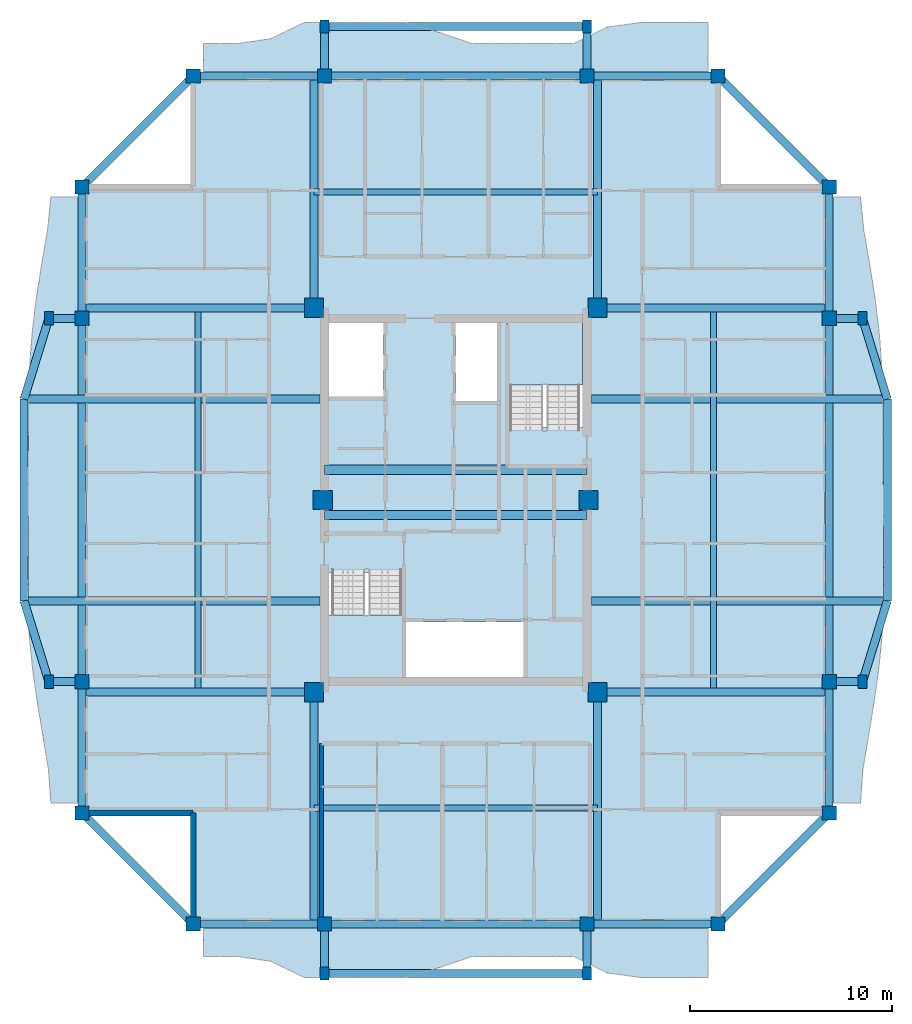
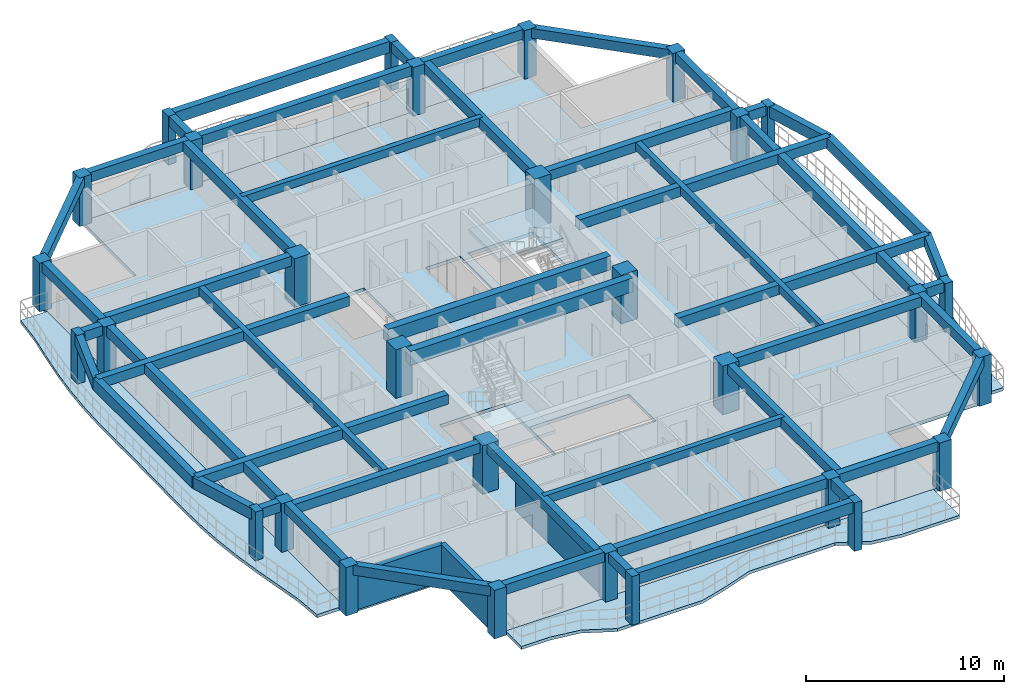
# One storey, part 1 of 14: 50 beams, 30 columns, 7 slabs, 3 walls, 2 elements without a shape of their own.
"""IFC4 building model written with IfcOpenShell, lengths in metres."""

from ifc_helpers import new_model, si_unit, direction, frame, frame_2d, origin, origin_2d, place, context, subcontext, project, spatial, polyline, rectangle, outline, extrude, source, transform, mapped, material, layer, layer_set, material_profile, profile_set, type_object, element, aggregate, save


model = new_model("IFC4")

# Units and contexts
model_context = context("Model", 3, precision=1e-05, world=origin(), true_north=direction((0.0, 1.0)))
body_context = subcontext(model_context, "Body", "Model", "MODEL_VIEW")
ifc_project = project(units=[si_unit("LENGTHUNIT", "METRE"), si_unit("AREAUNIT", "SQUARE_METRE"), si_unit("VOLUMEUNIT", "CUBIC_METRE"), si_unit("PLANEANGLEUNIT", "RADIAN"), si_unit("MASSUNIT", "GRAM", prefix="KILO")], contexts=[model_context])

# Site, building, storey
site_placement = place(None, origin())
site = spatial("IfcSite", under=ifc_project, at=site_placement, CompositionType="ELEMENT")
building_placement = place(site_placement, origin())
building = spatial("IfcBuilding", under=site, at=building_placement, Name="Saelheon Loggia Tower", CompositionType="ELEMENT")
storey_placement = place(building_placement, frame((0.0, 0.0, 213.300048828125)))
storey = spatial("IfcBuildingStorey", under=building, at=storey_placement, Name="L66", CompositionType="ELEMENT", Elevation=213.300048828125)

# Columns
ifc_material_1 = material(Name="Concrete C45/55", Category="concrete")
ifc_material_profile_1 = material_profile(ifc_material_1, rectangle(XDim=0.949951171875, YDim=0.949951171875, at=origin_2d()), Name="RC-950x950")
ifc_profile_set_1 = profile_set([ifc_material_profile_1], Name="Concrete C45/55")
column_type_1 = type_object("IfcColumnType", Name="Col_Core_RC950", PredefinedType="COLUMN", material=ifc_profile_set_1)
shared_shape_1 = source(origin(), body_context, "Body", "SweptSolid", [
    extrude(rectangle(XDim=0.949951171875, YDim=0.949951171875, at=origin_2d()), origin(), (0.0, 0.0, 1.0), 3.0),
])
for number, where, z_axis, x_axis, name in (
    (1, (30.97998046875, 17.47998046875, 0.0), (0.0, 0.0, 1.0), (1.0, 0.0, 0.0), "L66 Core Column CR-SW"),
    (2, (45.02001953125, 17.47998046875, 0.0), (0.0, 0.0, 1.0), (1.0, 0.0, 0.0), "L66 Core Column CR-SE"),
    (3, (30.97998046875, 36.52001953125, 0.0), (0.0, 0.0, 1.0), (1.0, 0.0, 0.0), "L66 Core Column CR-NW"),
    (4, (45.02001953125, 36.52001953125, 0.0), (0.0, 0.0, 1.0), (1.0, 0.0, 0.0), "L66 Core Column CR-NE"),
    (5, (31.419921875, 27.0, 0.0), (0.0, 0.0, 1.0), (1.0, 0.0, 0.0), "L66 Core Column CR-MW"),
    (6, (44.580078125, 27.0, 0.0), (0.0, 0.0, 1.0), (1.0, 0.0, 0.0), "L66 Core Column CR-ME"),
):
    element("IfcColumn", number, at=place(storey_placement, frame(where, z_axis=z_axis, x_axis=x_axis)), inside=storey, type_object=column_type_1, Name=name, PredefinedType="COLUMN", context=body_context, shape_type="MappedRepresentation", body=[
        mapped(shared_shape_1, transform((0.0, 0.0, 0.0), scale=1.0)),
    ])
ifc_material_2 = material(Name="Precast Concrete C45/55", Category="concrete")
ifc_material_profile_2 = material_profile(ifc_material_2, rectangle(XDim=0.449951171875, YDim=0.64990234375, at=origin_2d()), Name="RC-450x650")
ifc_profile_set_2 = profile_set([ifc_material_profile_2], Name="Precast Concrete C45/55")
column_type_2 = type_object("IfcColumnType", Name="Col_Loggia_Pilaster_650", PredefinedType="PILASTER", material=ifc_profile_set_2)
shared_shape_2 = source(origin(), body_context, "Body", "SweptSolid", [
    extrude(rectangle(XDim=0.449951171875, YDim=0.64990234375, at=origin_2d()), origin(), (0.0, 0.0, 1.0), 3.0),
])
for number, where, z_axis, x_axis, name in (
    (7, (31.5, 3.550048828125, 0.0), (0.0, 0.0, 1.0), (1.0, 0.0, 0.0), "L66 Loggia Frame Pilaster LP-S1"),
    (8, (44.5, 3.550048828125, 0.0), (0.0, 0.0, 1.0), (1.0, 0.0, 0.0), "L66 Loggia Frame Pilaster LP-S2"),
    (9, (31.5, 50.449951171875, 0.0), (0.0, 0.0, 1.0), (1.0, 0.0, 0.0), "L66 Loggia Frame Pilaster LP-N1"),
    (10, (44.5, 50.449951171875, 0.0), (0.0, 0.0, 1.0), (1.0, 0.0, 0.0), "L66 Loggia Frame Pilaster LP-N2"),
    (11, (58.14990234375, 18.0, 0.0), (0.0, 0.0, 1.0), (1.0, 0.0, 0.0), "L66 Loggia Frame Pilaster LP-E1"),
    (12, (58.14990234375, 36.0, 0.0), (0.0, 0.0, 1.0), (1.0, 0.0, 0.0), "L66 Loggia Frame Pilaster LP-E2"),
    (13, (17.85009765625, 18.0, 0.0), (0.0, 0.0, 1.0), (1.0, 0.0, 0.0), "L66 Loggia Frame Pilaster LP-W1"),
    (14, (17.85009765625, 36.0, 0.0), (0.0, 0.0, 1.0), (1.0, 0.0, 0.0), "L66 Loggia Frame Pilaster LP-W2"),
):
    element("IfcColumn", number, at=place(storey_placement, frame(where, z_axis=z_axis, x_axis=x_axis)), inside=storey, type_object=column_type_2, Name=name, PredefinedType="PILASTER", context=body_context, shape_type="MappedRepresentation", body=[
        mapped(shared_shape_2, transform((0.0, 0.0, 0.0), scale=1.0)),
    ])
ifc_material_profile_3 = material_profile(ifc_material_1, rectangle(XDim=0.699951171875, YDim=0.699951171875, at=origin_2d()), Name="RC-700x700")
ifc_profile_set_3 = profile_set([ifc_material_profile_3], Name="Concrete C45/55")
column_type_3 = type_object("IfcColumnType", Name="Col_Perim_RC700", PredefinedType="COLUMN", material=ifc_profile_set_3)
shared_shape_3 = source(origin(), body_context, "Body", "SweptSolid", [
    extrude(rectangle(XDim=0.699951171875, YDim=0.699951171875, at=origin_2d()), origin(), (0.0, 0.0, 1.0), 3.0),
])
for number, where, z_axis, x_axis, name in (
    (15, (25.0, 6.0, 0.0), (0.0, 0.0, 1.0), (1.0, 0.0, 0.0), "L66 Perimeter Column TP-S1"),
    (16, (31.5, 6.0, 0.0), (0.0, 0.0, 1.0), (1.0, 0.0, 0.0), "L66 Perimeter Column TP-SA"),
    (17, (44.5, 6.0, 0.0), (0.0, 0.0, 1.0), (1.0, 0.0, 0.0), "L66 Perimeter Column TP-SB"),
    (18, (51.0, 6.0, 0.0), (0.0, 0.0, 1.0), (1.0, 0.0, 0.0), "L66 Perimeter Column TP-S2"),
    (19, (56.5, 11.5, 0.0), (0.0, 0.0, 1.0), (1.0, 0.0, 0.0), "L66 Perimeter Column TP-E1"),
    (20, (56.5, 18.0, 0.0), (0.0, 0.0, 1.0), (1.0, 0.0, 0.0), "L66 Perimeter Column TP-EA"),
    (21, (56.5, 36.0, 0.0), (0.0, 0.0, 1.0), (1.0, 0.0, 0.0), "L66 Perimeter Column TP-EB"),
    (22, (56.5, 42.5, 0.0), (0.0, 0.0, 1.0), (1.0, 0.0, 0.0), "L66 Perimeter Column TP-E2"),
    (23, (51.0, 48.0, 0.0), (0.0, 0.0, 1.0), (1.0, 0.0, 0.0), "L66 Perimeter Column TP-N2"),
    (24, (44.5, 48.0, 0.0), (0.0, 0.0, 1.0), (1.0, 0.0, 0.0), "L66 Perimeter Column TP-NB"),
    (25, (31.5, 48.0, 0.0), (0.0, 0.0, 1.0), (1.0, 0.0, 0.0), "L66 Perimeter Column TP-NA"),
    (26, (25.0, 48.0, 0.0), (0.0, 0.0, 1.0), (1.0, 0.0, 0.0), "L66 Perimeter Column TP-N1"),
    (27, (19.5, 42.5, 0.0), (0.0, 0.0, 1.0), (1.0, 0.0, 0.0), "L66 Perimeter Column TP-W2"),
    (28, (19.5, 36.0, 0.0), (0.0, 0.0, 1.0), (1.0, 0.0, 0.0), "L66 Perimeter Column TP-WB"),
    (29, (19.5, 18.0, 0.0), (0.0, 0.0, 1.0), (1.0, 0.0, 0.0), "L66 Perimeter Column TP-WA"),
    (30, (19.5, 11.5, 0.0), (0.0, 0.0, 1.0), (1.0, 0.0, 0.0), "L66 Perimeter Column TP-W1"),
):
    element("IfcColumn", number, at=place(storey_placement, frame(where, z_axis=z_axis, x_axis=x_axis)), inside=storey, type_object=column_type_3, Name=name, PredefinedType="COLUMN", context=body_context, shape_type="MappedRepresentation", body=[
        mapped(shared_shape_3, transform((0.0, 0.0, 0.0), scale=1.0)),
    ])

# Beams
ifc_material_3 = material(Name="Concrete C50/60", Category="concrete")
ifc_material_profile_4 = material_profile(ifc_material_3, rectangle(XDim=0.449951171875, YDim=0.85009765625, at=origin_2d()), Name="RC-450x850")
ifc_profile_set_4 = profile_set([ifc_material_profile_4], Name="Concrete C50/60")
beam_type_1 = type_object("IfcBeamType", Name="Beam_CoreLintel_RC450x850", PredefinedType="LINTEL", material=ifc_profile_set_4)
shared_shape_4 = source(origin(), body_context, "Body", "SweptSolid", [
    extrude(rectangle(XDim=0.449951171875, YDim=0.85009765625, at=origin_2d()), origin(), (0.0, 0.0, 1.0), 13.0),
])
for number, where, z_axis, x_axis, name in (
    (31, (31.5, 26.25, 2.574951171875), (1.0, 0.0, 0.0), (0.0, 1.0, 0.0), "L66 Core Coupling Lintel 1"),
    (32, (31.5, 28.5, 2.574951171875), (1.0, 0.0, 0.0), (0.0, 1.0, 0.0), "L66 Core Coupling Lintel 2"),
):
    element("IfcBeam", number, at=place(storey_placement, frame(where, z_axis=z_axis, x_axis=x_axis)), inside=storey, type_object=beam_type_1, Name=name, PredefinedType="LINTEL", context=body_context, shape_type="MappedRepresentation", body=[
        mapped(shared_shape_4, transform((0.0, 0.0, 0.0), scale=1.0)),
    ])
ifc_material_profile_5 = material_profile(ifc_material_2, rectangle(XDim=0.39990234375, YDim=0.60009765625, at=origin_2d()), Name="RC-400x600")
ifc_profile_set_5 = profile_set([ifc_material_profile_5], Name="Precast Concrete C45/55")
beam_type_2 = type_object("IfcBeamType", Name="Beam_LoggiaTie_RC400x600", PredefinedType="BEAM", material=ifc_profile_set_5)
shared_shape_5 = source(origin(), body_context, "Body", "SweptSolid", [
    extrude(rectangle(XDim=0.39990234375, YDim=0.60009765625, at=origin_2d()), origin(), (0.0, 0.0, 1.0), 2.449951171875),
])
for number, where, z_axis, x_axis, name in (
    (33, (31.5, 6.0, 2.699951171875), (0.0, -1.0, 0.0), (1.0, 0.0, 0.0), "L66 Loggia Frame Tie Beam LP-S1"),
    (34, (44.5, 6.0, 2.699951171875), (0.0, -1.0, 0.0), (1.0, 0.0, 0.0), "L66 Loggia Frame Tie Beam LP-S2"),
    (35, (31.5, 48.0, 2.699951171875), (0.0, 1.0, 0.0), (-1.0, 0.0, 0.0), "L66 Loggia Frame Tie Beam LP-N1"),
    (36, (44.5, 48.0, 2.699951171875), (0.0, 1.0, 0.0), (-1.0, 0.0, 0.0), "L66 Loggia Frame Tie Beam LP-N2"),
):
    element("IfcBeam", number, at=place(storey_placement, frame(where, z_axis=z_axis, x_axis=x_axis)), inside=storey, type_object=beam_type_2, Name=name, PredefinedType="BEAM", context=body_context, shape_type="MappedRepresentation", body=[
        mapped(shared_shape_5, transform((0.0, 0.0, 0.0), scale=1.0)),
    ])
ifc_material_4 = material(Name="Concrete C40/50", Category="concrete")
ifc_material_profile_6 = material_profile(ifc_material_4, rectangle(XDim=0.300048828125, YDim=0.5, at=origin_2d()), Name="RC-300x500")
ifc_profile_set_6 = profile_set([ifc_material_profile_6], Name="Concrete C40/50")
beam_type_3 = type_object("IfcBeamType", Name="Beam_Joist_RC300x500", PredefinedType="JOIST", material=ifc_profile_set_6)
shared_shape_6 = source(origin(), body_context, "Body", "SweptSolid", [
    extrude(rectangle(XDim=0.300048828125, YDim=0.5, at=origin_2d()), origin(), (0.0, 0.0, 1.0), 14.0400390625),
])
for number, where, z_axis, x_axis, name in (
    (37, (30.97998046875, 11.739990234375, 2.75), (1.0, 0.0, 0.0), (0.0, 1.0, 0.0), "L66 South Floor Joist"),
    (38, (30.97998046875, 42.260009765625, 2.75), (1.0, 0.0, 0.0), (0.0, 1.0, 0.0), "L66 North Floor Joist"),
):
    element("IfcBeam", number, at=place(storey_placement, frame(where, z_axis=z_axis, x_axis=x_axis)), inside=storey, type_object=beam_type_3, Name=name, PredefinedType="JOIST", context=body_context, shape_type="MappedRepresentation", body=[
        mapped(shared_shape_6, transform((0.0, 0.0, 0.0), scale=1.0)),
    ])
shared_shape_7 = source(origin(), body_context, "Body", "SweptSolid", [
    extrude(rectangle(XDim=0.300048828125, YDim=0.5, at=origin_2d()), origin(), (0.0, 0.0, 1.0), 19.0400390625),
])
for number, where, z_axis, x_axis, name in (
    (39, (25.239990234375, 17.47998046875, 2.75), (0.0, 1.0, 0.0), (-1.0, 0.0, 0.0), "L66 West Floor Joist"),
    (40, (50.760009765625, 17.47998046875, 2.75), (0.0, 1.0, 0.0), (-1.0, 0.0, 0.0), "L66 East Floor Joist"),
):
    element("IfcBeam", number, at=place(storey_placement, frame(where, z_axis=z_axis, x_axis=x_axis)), inside=storey, type_object=beam_type_3, Name=name, PredefinedType="JOIST", context=body_context, shape_type="MappedRepresentation", body=[
        mapped(shared_shape_7, transform((0.0, 0.0, 0.0), scale=1.0)),
    ])
shared_shape_8 = source(origin(), body_context, "Body", "SweptSolid", [
    extrude(rectangle(XDim=0.39990234375, YDim=0.60009765625, at=origin_2d()), origin(), (0.0, 0.0, 1.0), 1.64990234375),
])
for number, where, z_axis, x_axis, name in (
    (41, (56.5, 18.0, 2.699951171875), (1.0, 0.0, 0.0), (0.0, 1.0, 0.0), "L66 Loggia Frame Tie Beam LP-E1"),
    (42, (56.5, 36.0, 2.699951171875), (1.0, 0.0, 0.0), (0.0, 1.0, 0.0), "L66 Loggia Frame Tie Beam LP-E2"),
    (43, (19.5, 18.0, 2.699951171875), (-1.0, 0.0, 0.0), (0.0, -1.0, 0.0), "L66 Loggia Frame Tie Beam LP-W1"),
    (44, (19.5, 36.0, 2.699951171875), (-1.0, 0.0, 0.0), (0.0, -1.0, 0.0), "L66 Loggia Frame Tie Beam LP-W2"),
):
    element("IfcBeam", number, at=place(storey_placement, frame(where, z_axis=z_axis, x_axis=x_axis)), inside=storey, type_object=beam_type_2, Name=name, PredefinedType="BEAM", context=body_context, shape_type="MappedRepresentation", body=[
        mapped(shared_shape_8, transform((0.0, 0.0, 0.0), scale=1.0)),
    ])
ifc_material_profile_7 = material_profile(ifc_material_2, rectangle(XDim=0.39990234375, YDim=0.699951171875, at=origin_2d()), Name="RC-400x700")
ifc_profile_set_7 = profile_set([ifc_material_profile_7], Name="Precast Concrete C45/55")
beam_type_4 = type_object("IfcBeamType", Name="Beam_LoggiaSpandrel_RC400x700", PredefinedType="SPANDREL", material=ifc_profile_set_7)
shared_shape_9 = source(origin(), body_context, "Body", "SweptSolid", [
    extrude(rectangle(XDim=0.39990234375, YDim=0.699951171875, at=origin_2d()), origin(), (0.0, 0.0, 1.0), 13.0),
])
for number, where, z_axis, x_axis, name in (
    (45, (31.5, 3.550048828125, 2.64990234375), (1.0, 0.0, 0.0), (0.0, 1.0, 0.0), "L66 Loggia Spandrel Beam S"),
    (46, (31.5, 50.449951171875, 2.64990234375), (1.0, 0.0, 0.0), (0.0, 1.0, 0.0), "L66 Loggia Spandrel Beam N"),
):
    element("IfcBeam", number, at=place(storey_placement, frame(where, z_axis=z_axis, x_axis=x_axis)), inside=storey, type_object=beam_type_4, Name=name, PredefinedType="SPANDREL", context=body_context, shape_type="MappedRepresentation", body=[
        mapped(shared_shape_9, transform((0.0, 0.0, 0.0), scale=1.0)),
    ])
shared_shape_10 = source(origin(), body_context, "Body", "SweptSolid", [
    extrude(rectangle(XDim=0.39990234375, YDim=0.699951171875, at=origin_2d()), origin(), (0.0, 0.0, 1.0), 4.184814453125),
])
for number, where, z_axis, x_axis, name in (
    (47, (58.14990234375, 18.0, 2.64990234375), (0.293913664135, 0.955831971653, 0.0), (-0.955831971653, 0.293913664135, 0.0), "L66 Curved Loggia Spandrel E 1"),
    (48, (59.3798828125, 32.0, 2.64990234375), (-0.293913664135, 0.955831971653, 0.0), (-0.955831971653, -0.293913664135, 0.0), "L66 Curved Loggia Spandrel E 3"),
    (49, (17.85009765625, 18.0, 2.64990234375), (-0.293913664135, 0.955831971653, 0.0), (-0.955831971653, -0.293913664135, 0.0), "L66 Curved Loggia Spandrel W 1"),
    (50, (16.6201171875, 32.0, 2.64990234375), (0.293913664135, 0.955831971653, 0.0), (-0.955831971653, 0.293913664135, 0.0), "L66 Curved Loggia Spandrel W 3"),
):
    element("IfcBeam", number, at=place(storey_placement, frame(where, z_axis=z_axis, x_axis=x_axis)), inside=storey, type_object=beam_type_4, Name=name, PredefinedType="SPANDREL", context=body_context, shape_type="MappedRepresentation", body=[
        mapped(shared_shape_10, transform((0.0, 0.0, 0.0), scale=1.0)),
    ])
shared_shape_11 = source(origin(), body_context, "Body", "SweptSolid", [
    extrude(rectangle(XDim=0.39990234375, YDim=0.699951171875, at=origin_2d()), origin(), (0.0, 0.0, 1.0), 10.0),
])
for number, where, z_axis, x_axis, name in (
    (51, (59.3798828125, 22.0, 2.64990234375), (0.0, 1.0, 0.0), (-1.0, 0.0, 0.0), "L66 Curved Loggia Spandrel E 2"),
    (52, (16.6201171875, 22.0, 2.64990234375), (0.0, 1.0, 0.0), (-1.0, 0.0, 0.0), "L66 Curved Loggia Spandrel W 2"),
):
    element("IfcBeam", number, at=place(storey_placement, frame(where, z_axis=z_axis, x_axis=x_axis)), inside=storey, type_object=beam_type_4, Name=name, PredefinedType="SPANDREL", context=body_context, shape_type="MappedRepresentation", body=[
        mapped(shared_shape_11, transform((0.0, 0.0, 0.0), scale=1.0)),
    ])
ifc_material_profile_8 = material_profile(ifc_material_4, rectangle(XDim=0.39990234375, YDim=0.60009765625, at=origin_2d()), Name="RC-400x600")
ifc_profile_set_8 = profile_set([ifc_material_profile_8], Name="Concrete C40/50")
beam_type_5 = type_object("IfcBeamType", Name="Beam_PerimUpper_RC400x600", PredefinedType="BEAM", material=ifc_profile_set_8)
shared_shape_12 = source(origin(), body_context, "Body", "SweptSolid", [
    extrude(rectangle(XDim=0.39990234375, YDim=0.60009765625, at=origin_2d()), origin(), (0.0, 0.0, 1.0), 13.0),
])
for number, where, z_axis, x_axis, name in (
    (53, (31.5, 6.0, 2.699951171875), (1.0, 0.0, 0.0), (0.0, 1.0, 0.0), "L66 Perimeter Frame Girder 02"),
    (54, (44.5, 48.0, 2.699951171875), (-1.0, 0.0, 0.0), (0.0, -1.0, 0.0), "L66 Perimeter Frame Girder 10"),
):
    element("IfcBeam", number, at=place(storey_placement, frame(where, z_axis=z_axis, x_axis=x_axis)), inside=storey, type_object=beam_type_5, Name=name, PredefinedType="BEAM", context=body_context, shape_type="MappedRepresentation", body=[
        mapped(shared_shape_12, transform((0.0, 0.0, 0.0), scale=1.0)),
    ])
shared_shape_13 = source(origin(), body_context, "Body", "SweptSolid", [
    extrude(rectangle(XDim=0.39990234375, YDim=0.60009765625, at=origin_2d()), origin(), (0.0, 0.0, 1.0), 18.0),
])
for number, where, z_axis, x_axis, name in (
    (55, (56.5, 18.0, 2.699951171875), (0.0, 1.0, 0.0), (-1.0, 0.0, 0.0), "L66 Perimeter Frame Girder 06"),
    (56, (19.5, 36.0, 2.699951171875), (0.0, -1.0, 0.0), (1.0, 0.0, 0.0), "L66 Perimeter Frame Girder 14"),
):
    element("IfcBeam", number, at=place(storey_placement, frame(where, z_axis=z_axis, x_axis=x_axis)), inside=storey, type_object=beam_type_5, Name=name, PredefinedType="BEAM", context=body_context, shape_type="MappedRepresentation", body=[
        mapped(shared_shape_13, transform((0.0, 0.0, 0.0), scale=1.0)),
    ])
ifc_material_profile_9 = material_profile(ifc_material_4, rectangle(XDim=0.39990234375, YDim=0.60009765625, at=origin_2d()), Name="RC-400x600")
ifc_profile_set_9 = profile_set([ifc_material_profile_9], Name="Concrete C40/50")
beam_type_6 = type_object("IfcBeamType", Name="Beam_UpperGirder_RC400x600", PredefinedType="BEAM", material=ifc_profile_set_9)
shared_shape_14 = source(origin(), body_context, "Body", "SweptSolid", [
    extrude(rectangle(XDim=0.39990234375, YDim=0.60009765625, at=origin_2d()), origin(), (0.0, 0.0, 1.0), 11.47998046875),
])
for number, where, z_axis, x_axis, name in (
    (57, (30.97998046875, 17.47998046875, 2.699951171875), (0.0, -1.0, 0.0), (1.0, 0.0, 0.0), "L66 Radial Floor Girder RAD-SW-S"),
    (58, (45.02001953125, 17.47998046875, 2.699951171875), (0.0, -1.0, 0.0), (1.0, 0.0, 0.0), "L66 Radial Floor Girder RAD-SE-S"),
    (59, (30.97998046875, 36.52001953125, 2.699951171875), (0.0, 1.0, 0.0), (-1.0, 0.0, 0.0), "L66 Radial Floor Girder RAD-NW-N"),
    (60, (45.02001953125, 36.52001953125, 2.699951171875), (0.0, 1.0, 0.0), (-1.0, 0.0, 0.0), "L66 Radial Floor Girder RAD-NE-N"),
    (61, (30.97998046875, 17.47998046875, 2.699951171875), (-1.0, 0.0, 0.0), (0.0, -1.0, 0.0), "L66 Radial Floor Girder RAD-SW-W"),
    (62, (30.97998046875, 36.52001953125, 2.699951171875), (-1.0, 0.0, 0.0), (0.0, -1.0, 0.0), "L66 Radial Floor Girder RAD-NW-W"),
    (63, (45.02001953125, 17.47998046875, 2.699951171875), (1.0, 0.0, 0.0), (0.0, 1.0, 0.0), "L66 Radial Floor Girder RAD-SE-E"),
    (64, (45.02001953125, 36.52001953125, 2.699951171875), (1.0, 0.0, 0.0), (0.0, 1.0, 0.0), "L66 Radial Floor Girder RAD-NE-E"),
):
    element("IfcBeam", number, at=place(storey_placement, frame(where, z_axis=z_axis, x_axis=x_axis)), inside=storey, type_object=beam_type_6, Name=name, PredefinedType="BEAM", context=body_context, shape_type="MappedRepresentation", body=[
        mapped(shared_shape_14, transform((0.0, 0.0, 0.0), scale=1.0)),
    ])
shared_shape_15 = source(origin(), body_context, "Body", "SweptSolid", [
    extrude(rectangle(XDim=0.39990234375, YDim=0.60009765625, at=origin_2d()), origin(), (0.0, 0.0, 1.0), 6.5),
])
for number, where, z_axis, x_axis, name in (
    (65, (25.0, 6.0, 2.699951171875), (1.0, 0.0, 0.0), (0.0, 1.0, 0.0), "L66 Perimeter Frame Girder 01"),
    (66, (44.5, 6.0, 2.699951171875), (1.0, 0.0, 0.0), (0.0, 1.0, 0.0), "L66 Perimeter Frame Girder 03"),
    (67, (56.5, 11.5, 2.699951171875), (0.0, 1.0, 0.0), (-1.0, 0.0, 0.0), "L66 Perimeter Frame Girder 05"),
    (68, (56.5, 36.0, 2.699951171875), (0.0, 1.0, 0.0), (-1.0, 0.0, 0.0), "L66 Perimeter Frame Girder 07"),
    (69, (51.0, 48.0, 2.699951171875), (-1.0, 0.0, 0.0), (0.0, -1.0, 0.0), "L66 Perimeter Frame Girder 09"),
    (70, (31.5, 48.0, 2.699951171875), (-1.0, 0.0, 0.0), (0.0, -1.0, 0.0), "L66 Perimeter Frame Girder 11"),
    (71, (19.5, 42.5, 2.699951171875), (0.0, -1.0, 0.0), (1.0, 0.0, 0.0), "L66 Perimeter Frame Girder 13"),
    (72, (19.5, 18.0, 2.699951171875), (0.0, -1.0, 0.0), (1.0, 0.0, 0.0), "L66 Perimeter Frame Girder 15"),
):
    element("IfcBeam", number, at=place(storey_placement, frame(where, z_axis=z_axis, x_axis=x_axis)), inside=storey, type_object=beam_type_5, Name=name, PredefinedType="BEAM", context=body_context, shape_type="MappedRepresentation", body=[
        mapped(shared_shape_15, transform((0.0, 0.0, 0.0), scale=1.0)),
    ])
shared_shape_16 = source(origin(), body_context, "Body", "SweptSolid", [
    extrude(rectangle(XDim=0.39990234375, YDim=0.60009765625, at=origin_2d()), origin(), (0.0, 0.0, 1.0), 7.778076171875),
])
for number, where, z_axis, x_axis, name in (
    (73, (51.0, 6.0, 2.699951171875), (0.707106781187, 0.707106781187, 0.0), (-0.707106781187, 0.707106781187, 0.0), "L66 Perimeter Frame Girder 04"),
    (74, (56.5, 42.5, 2.699951171875), (-0.707106781187, 0.707106781187, 0.0), (-0.707106781187, -0.707106781187, 0.0), "L66 Perimeter Frame Girder 08"),
    (75, (25.0, 48.0, 2.699951171875), (-0.707106781187, -0.707106781187, 0.0), (0.707106781187, -0.707106781187, 0.0), "L66 Perimeter Frame Girder 12"),
    (76, (19.5, 11.5, 2.699951171875), (0.707106781187, -0.707106781187, 0.0), (0.707106781187, 0.707106781187, 0.0), "L66 Perimeter Frame Girder 16"),
):
    element("IfcBeam", number, at=place(storey_placement, frame(where, z_axis=z_axis, x_axis=x_axis)), inside=storey, type_object=beam_type_5, Name=name, PredefinedType="BEAM", context=body_context, shape_type="MappedRepresentation", body=[
        mapped(shared_shape_16, transform((0.0, 0.0, 0.0), scale=1.0)),
    ])
shared_shape_17 = source(origin(), body_context, "Body", "SweptSolid", [
    extrude(rectangle(XDim=0.39990234375, YDim=0.60009765625, at=origin_2d()), origin(), (0.0, 0.0, 1.0), 14.659912109375),
])
for number, where, z_axis, x_axis, name in (
    (77, (44.719970703125, 22.0, 2.699951171875), (1.0, 0.0, 0.0), (0.0, 1.0, 0.0), "L66 Curved Facade Outrigger Beam E 1"),
    (78, (44.719970703125, 32.0, 2.699951171875), (1.0, 0.0, 0.0), (0.0, 1.0, 0.0), "L66 Curved Facade Outrigger Beam E 2"),
    (79, (31.280029296875, 22.0, 2.699951171875), (-1.0, 0.0, 0.0), (0.0, -1.0, 0.0), "L66 Curved Facade Outrigger Beam W 1"),
    (80, (31.280029296875, 32.0, 2.699951171875), (-1.0, 0.0, 0.0), (0.0, -1.0, 0.0), "L66 Curved Facade Outrigger Beam W 2"),
):
    element("IfcBeam", number, at=place(storey_placement, frame(where, z_axis=z_axis, x_axis=x_axis)), inside=storey, type_object=beam_type_2, Name=name, PredefinedType="BEAM", context=body_context, shape_type="MappedRepresentation", body=[
        mapped(shared_shape_17, transform((0.0, 0.0, 0.0), scale=1.0)),
    ])

# Slabs
ifc_layer_1 = layer(ifc_material_2, 0.18994140625)
ifc_layer_set_1 = layer_set([ifc_layer_1], Name="Precast Concrete C45/55")
slab_type_1 = type_object("IfcSlabType", Name="Slab_Loggia_Ext_190", PredefinedType="FLOOR", material=ifc_layer_set_1)
slab_1_placement = place(storey_placement, frame((0.0, 0.0, -0.18994140625)))
element("IfcSlab", 81, at=slab_1_placement, inside=storey, type_object=slab_type_1, Name="L66 Loggia Balcony Slab S", PredefinedType="FLOOR", context=body_context, shape_type="SweptSolid", body=[
    extrude(outline(polyline([(25.5, 4.39990234375), (27.166748046875, 4.39990234375), (28.833251953125, 4.155517578125), (30.5, 3.35009765625), (32.166748046875, 3.35009765625), (33.833251953125, 3.35009765625), (35.5, 3.35009765625), (37.166748046875, 3.831787109375), (38.833251953125, 4.39990234375), (40.5, 4.39990234375), (42.166748046875, 4.39990234375), (43.833251953125, 4.39990234375), (45.5, 3.580078125), (47.166748046875, 3.35009765625), (48.833251953125, 3.35009765625), (50.5, 3.35009765625), (50.5, 6.0), (25.5, 6.0), (25.5, 4.39990234375)])), origin(), (0.0, 0.0, 1.0), 0.18994140625),
])
slab_2_placement = place(storey_placement, frame((0.0, 0.0, -0.18994140625)))
element("IfcSlab", 82, at=slab_2_placement, inside=storey, type_object=slab_type_1, Name="L66 Loggia Balcony Slab N", PredefinedType="FLOOR", context=body_context, shape_type="SweptSolid", body=[
    extrude(outline(polyline([(25.5, 48.0), (50.5, 48.0), (50.5, 50.64990234375), (48.833251953125, 50.64990234375), (47.166748046875, 50.64990234375), (45.5, 50.419921875), (43.833251953125, 49.60009765625), (42.166748046875, 49.60009765625), (40.5, 49.60009765625), (38.833251953125, 49.60009765625), (37.166748046875, 50.168212890625), (35.5, 50.64990234375), (33.833251953125, 50.64990234375), (32.166748046875, 50.64990234375), (30.5, 50.64990234375), (28.833251953125, 49.844482421875), (27.166748046875, 49.60009765625), (25.5, 49.60009765625), (25.5, 48.0)])), origin(), (0.0, 0.0, 1.0), 0.18994140625),
])
slab_3_placement = place(storey_placement, frame((0.0, 0.0, -0.18994140625)))
element("IfcSlab", 83, at=slab_3_placement, inside=storey, type_object=slab_type_1, Name="L66 Loggia Balcony Slab E", PredefinedType="FLOOR", context=body_context, shape_type="SweptSolid", body=[
    extrude(outline(polyline([(56.5, 12.0), (58.050048828125, 12.0), (58.173095703125, 13.666748046875), (58.450439453125, 15.333251953125), (58.726318359375, 17.0), (58.961181640625, 18.666748046875), (59.124755859375, 20.333251953125), (59.20849609375, 22.0), (59.226318359375, 23.666748046875), (59.20751953125, 25.333251953125), (59.18359375, 27.0), (59.171875, 28.666748046875), (59.17041015625, 30.333251953125), (59.156494140625, 32.0), (59.099609375, 33.666748046875), (58.973388671875, 35.333251953125), (58.77099609375, 37.0), (58.5078125, 38.666748046875), (58.218505859375, 40.333251953125), (58.050048828125, 42.0), (56.5, 42.0), (56.5, 12.0)])), origin(), (0.0, 0.0, 1.0), 0.18994140625),
])
slab_4_placement = place(storey_placement, frame((0.0, 0.0, -0.18994140625)))
element("IfcSlab", 84, at=slab_4_placement, inside=storey, type_object=slab_type_1, Name="L66 Loggia Balcony Slab W", PredefinedType="FLOOR", context=body_context, shape_type="SweptSolid", body=[
    extrude(outline(polyline([(19.5, 12.0), (19.5, 42.0), (17.949951171875, 42.0), (17.781494140625, 40.333251953125), (17.4921875, 38.666748046875), (17.22900390625, 37.0), (17.026611328125, 35.333251953125), (16.900390625, 33.666748046875), (16.843505859375, 32.0), (16.82958984375, 30.333251953125), (16.828125, 28.666748046875), (16.81640625, 27.0), (16.79248046875, 25.333251953125), (16.773681640625, 23.666748046875), (16.79150390625, 22.0), (16.875244140625, 20.333251953125), (17.038818359375, 18.666748046875), (17.273681640625, 17.0), (17.549560546875, 15.333251953125), (17.826904296875, 13.666748046875), (17.949951171875, 12.0), (19.5, 12.0)])), origin(), (0.0, 0.0, 1.0), 0.18994140625),
])

# Stair, slab
stair_type = type_object("IfcStairType", Name="Stair_Escape_Core", PredefinedType="HALF_TURN_STAIR", material=ifc_material_4)
stair_1_placement = place(storey_placement, origin())
stair_1 = element("IfcStair", 85, at=stair_1_placement, inside=storey, type_object=stair_type, Name="L66 Special Escape Stair ST1", PredefinedType="HALF_TURN_STAIR")
ifc_layer_2 = layer(ifc_material_4, 0.199951171875)
ifc_layer_set_2 = layer_set([ifc_layer_2], Name="Concrete C40/50")
slab_type_2 = type_object("IfcSlabType", Name="Slab_StairLanding_ST1", PredefinedType="LANDING", material=ifc_layer_set_2)
slab_5_placement = place(storey_placement, frame((0.0, 0.0, 1.300048828125)))
slab_5 = element("IfcSlab", 86, at=slab_5_placement, type_object=slab_type_2, Name="ST1 landing 1", PredefinedType="LANDING", context=body_context, shape_type="SweptSolid", body=[
    extrude(outline(polyline([(31.7099609375, 21.31005859375), (31.7099609375, 18.2099609375), (35.469970703125, 18.2099609375), (35.469970703125, 21.31005859375), (31.7099609375, 21.31005859375)])), origin(), (0.0, 0.0, 1.0), 0.199951171875),
])
aggregate(stair_1, [slab_5])

stair_2_placement = place(storey_placement, origin())
stair_2 = element("IfcStair", 87, at=stair_2_placement, inside=storey, type_object=stair_type, Name="L66 Special Escape Stair ST2", PredefinedType="HALF_TURN_STAIR")
ifc_layer_3 = layer(ifc_material_4, 0.199951171875)
ifc_layer_set_3 = layer_set([ifc_layer_3], Name="Concrete C40/50")
slab_type_3 = type_object("IfcSlabType", Name="Slab_StairLanding_ST2", PredefinedType="LANDING", material=ifc_layer_set_3)
slab_6_placement = place(storey_placement, frame((0.0, 0.0, 1.300048828125)))
slab_6 = element("IfcSlab", 88, at=slab_6_placement, type_object=slab_type_3, Name="ST2 landing 1", PredefinedType="LANDING", context=body_context, shape_type="SweptSolid", body=[
    extrude(outline(polyline([(44.2900390625, 32.68994140625), (44.2900390625, 35.7900390625), (40.530029296875, 35.7900390625), (40.530029296875, 32.68994140625), (44.2900390625, 32.68994140625)])), origin(), (0.0, 0.0, 1.0), 0.199951171875),
])
aggregate(stair_2, [slab_6])

# Slab
ifc_layer_4 = layer(ifc_material_4, 0.2099609375)
ifc_layer_set_4 = layer_set([ifc_layer_4], Name="Concrete C40/50")
slab_type_4 = type_object("IfcSlabType", Name="Slab_Tower_210", PredefinedType="FLOOR", material=ifc_layer_set_4)
slab_7_placement = place(storey_placement, frame((0.0, 0.0, -0.2099609375)))
element("IfcSlab", 89, at=slab_7_placement, inside=storey, type_object=slab_type_4, Name="L66 Tower Floor Slab", PredefinedType="FLOOR", context=body_context, shape_type="SweptSolid", body=[
    extrude(outline(polyline([(25.0, 6.0), (51.0, 6.0), (51.0, 11.5), (56.5, 11.5), (56.5, 42.5), (51.0, 42.5), (51.0, 48.0), (25.0, 48.0), (25.0, 42.5), (19.5, 42.5), (19.5, 11.5), (25.0, 11.5), (25.0, 6.0)]), holes=[polyline([(31.699951171875, 23.409912109375), (31.699951171875, 18.199951171875), (35.47998046875, 18.199951171875), (35.47998046875, 23.409912109375), (31.699951171875, 23.409912109375)]), polyline([(44.300048828125, 30.590087890625), (44.300048828125, 35.800048828125), (40.52001953125, 35.800048828125), (40.52001953125, 30.590087890625), (44.300048828125, 30.590087890625)]), polyline([(35.530029296875, 18.22509765625), (41.35009765625, 18.22509765625), (41.35009765625, 20.9599609375), (35.530029296875, 20.9599609375), (35.530029296875, 18.22509765625)]), polyline([(31.72509765625, 32.1201171875), (34.419921875, 32.1201171875), (34.419921875, 35.77490234375), (31.72509765625, 35.77490234375), (31.72509765625, 32.1201171875)]), polyline([(38.0, 31.89990234375), (40.050048828125, 31.89990234375), (40.050048828125, 35.77490234375), (38.0, 35.77490234375), (38.0, 31.89990234375)])]), origin(), (0.0, 0.0, 1.0), 0.2099609375),
])

# Walls
ifc_material_5 = material(Name="Architectural Precast Concrete C40/50", Category="concrete")
ifc_layer_5 = layer(ifc_material_5, 0.280029296875)
ifc_layer_set_5 = layer_set([ifc_layer_5], Name="Architectural Precast Concrete C40/50")
wall_type_1 = type_object("IfcWallType", Name="Wall_Ext_Loggia_280", PredefinedType="SOLIDWALL", material=ifc_layer_set_5)
for number, where, z_axis, x_axis, name in (
    (90, (25.0, 6.080078125, 0.0), (0.0, 0.0, 1.0), (0.0, 1.0, 0.0), "L66 Corner Notch Precast Wall SW1"),
    (91, (19.580078125, 11.5, 0.0), (0.0, 0.0, 1.0), (1.0, 0.0, 0.0), "L66 Corner Notch Precast Wall SW2"),
):
    element("IfcWall", number, at=place(storey_placement, frame(where, z_axis=z_axis, x_axis=x_axis)), inside=storey, type_object=wall_type_1, Name=name, PredefinedType="SOLIDWALL", context=body_context, shape_type="SweptSolid", body=[
        extrude(rectangle(XDim=5.419921875, YDim=0.280029296875, at=frame_2d((2.7099609375, 0.0))), origin(), (0.0, 0.0, 1.0), 2.280029296875),
    ])
ifc_material_6 = material(Name="Double Acoustic Stud and Fireboard Partition", Category="gypsum")
ifc_layer_6 = layer(ifc_material_6, 0.199951171875)
ifc_layer_set_6 = layer_set([ifc_layer_6], Name="Double Acoustic Stud and Fireboard Partition")
wall_type_2 = type_object("IfcWallType", Name="Wall_Party_200", PredefinedType="PARTITIONING", material=ifc_layer_set_6)
wall_placement = place(storey_placement, frame((31.35009765625, 14.949951171875, 0.0), z_axis=(0.0, 0.0, 1.0), x_axis=(0.0, -1.0, 0.0)))
element("IfcWall", 92, at=wall_placement, inside=storey, type_object=wall_type_2, Name="L66 S Partition U01", PredefinedType="PARTITIONING", context=body_context, shape_type="SweptSolid", body=[
    extrude(rectangle(XDim=8.800048828125, YDim=0.199951171875, at=frame_2d((4.39990234375, 0.0))), origin(), (0.0, 0.0, 1.0), 2.389892578125),
])

save(model, "model.ifc")
